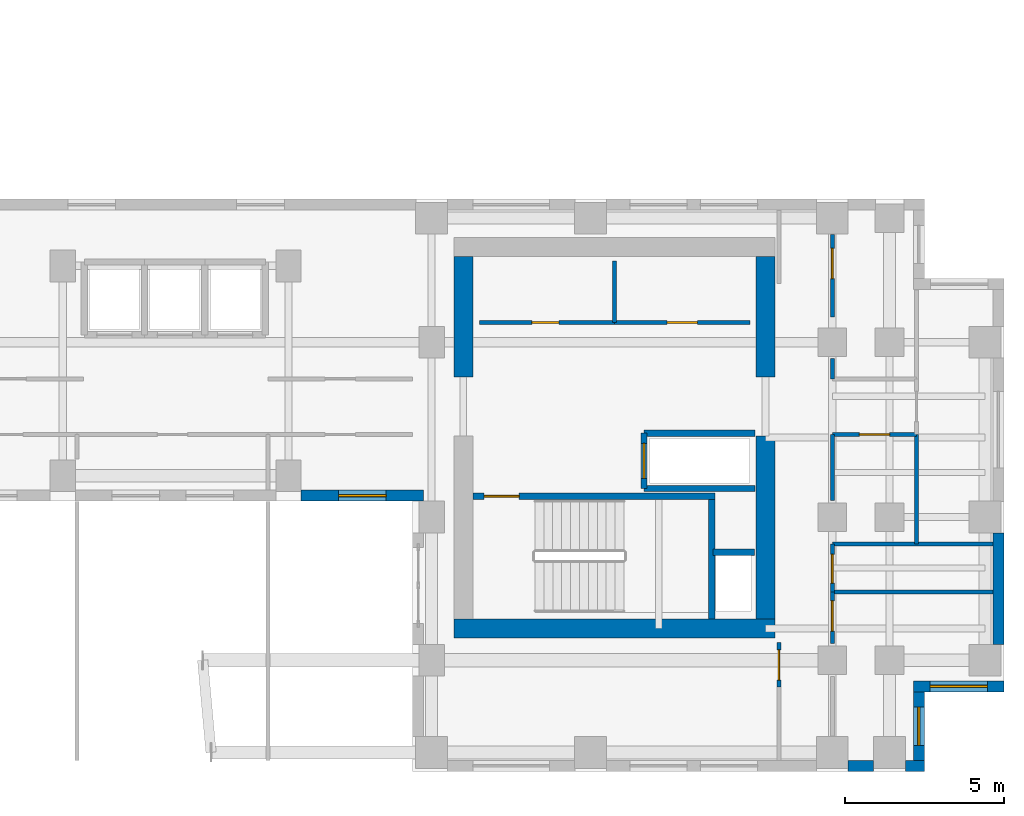
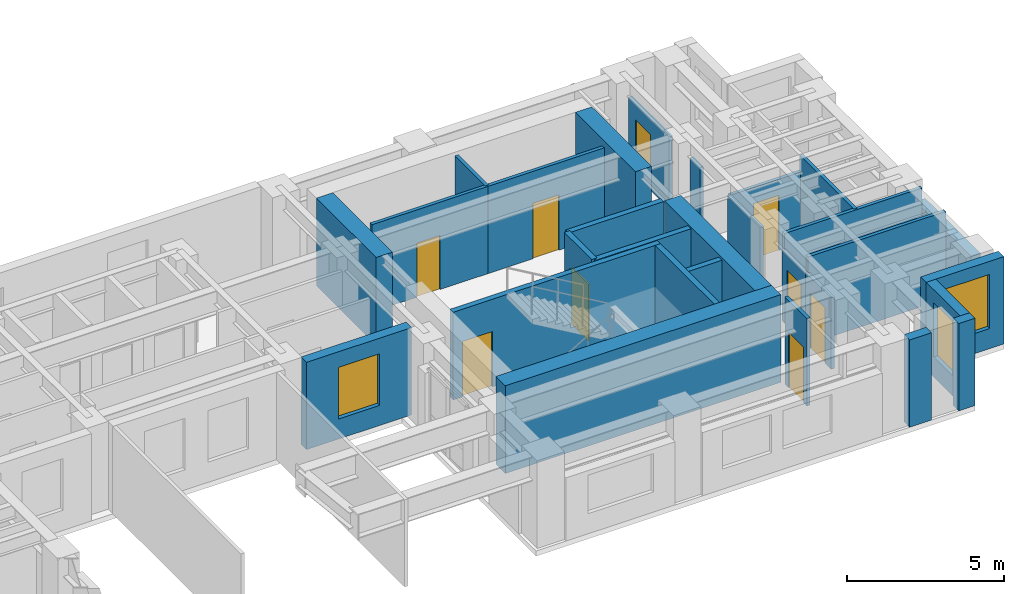
# One storey, part 9 of 13: 29 walls, 9 doors, 3 windows, 12 openings.
"""IFC4 building model written with IfcOpenShell, lengths in metres."""

from ifc_helpers import new_model, si_unit, direction, frame, frame_2d, origin, place, context, subcontext, project, spatial, rectangle, extrude, source, transform, mapped, material, layer, layer_set, type_object, element, fill, save


model = new_model("IFC4")

# Units and contexts
model_context = context("Model", 3, precision=1e-05, world=origin(), true_north=direction((0.0, 1.0)))
body_context = subcontext(model_context, "Body", "Model", "MODEL_VIEW")
ifc_project = project(units=[si_unit("LENGTHUNIT", "METRE"), si_unit("AREAUNIT", "SQUARE_METRE"), si_unit("VOLUMEUNIT", "CUBIC_METRE"), si_unit("PLANEANGLEUNIT", "RADIAN"), si_unit("MASSUNIT", "GRAM", prefix="KILO")], contexts=[model_context])

# Site, building, storey
site_placement = place(None, origin())
site = spatial("IfcSite", under=ifc_project, at=site_placement, CompositionType="ELEMENT")
building_placement = place(site_placement, origin())
building = spatial("IfcBuilding", under=site, at=building_placement, Name="Kharzan Plaza Tower", CompositionType="ELEMENT")
storey_placement = place(building_placement, frame((0.0, 0.0, 161.10009765625)))
storey = spatial("IfcBuildingStorey", under=building, at=storey_placement, Name="L43", CompositionType="ELEMENT", Elevation=161.10009765625)

# Wall, opening, window
ifc_material_1 = material(Name="Concrete C40/50", Category="concrete")
ifc_layer_1 = layer(ifc_material_1, 0.35009765625)
ifc_layer_set_1 = layer_set([ifc_layer_1], Name="Concrete C40/50")
wall_type_1 = type_object("IfcWallType", Name="WL-EXT-MAS-Z3", PredefinedType="SOLIDWALL", material=ifc_layer_set_1)
wall_1_placement = place(storey_placement, frame((30.89794921875, 8.675048828125, 0.0), z_axis=(0.0, 0.0, 1.0), x_axis=(1.0, 0.0, 0.0)))
wall_1 = element("IfcWall", 1, at=wall_1_placement, inside=storey, type_object=wall_type_1, Name="L43 Masonry-Frame Exterior Wall 28", PredefinedType="SOLIDWALL", context=body_context, shape_type="SweptSolid", body=[
    extrude(rectangle(XDim=3.85205078125, YDim=0.35009765625, at=frame_2d((1.926025390625, 0.0))), origin(), (0.0, 0.0, 1.0), 3.385009765625),
])
opening_1_placement = place(wall_1_placement, frame((1.176025390625, 0.0, 0.780029296875)))
opening_1 = element("IfcOpeningElement", 2, at=opening_1_placement, cuts=wall_1, Name="Opening W5", PredefinedType="OPENING", context=body_context, shape_type="SweptSolid", body=[
    extrude(rectangle(XDim=1.5, YDim=2.0, at=frame_2d((0.75, 1.0))), frame((0.0, 0.18505859375, 0.0), z_axis=(0.0, -1.0, 0.0), x_axis=(1.0, 0.0, 0.0)), (0.0, 0.0, 1.0), 0.3701171875),
])
ifc_material_2 = material(Name="Low-E Double Glazing", Category="glass")
window_type_1 = type_object("IfcWindowType", Name="WN-SLT-1500x2000", PartitioningType="SINGLE_PANEL", PredefinedType="WINDOW", material=ifc_material_2)
shared_shape_1 = source(origin(), body_context, "Body", "SweptSolid", [
    extrude(rectangle(XDim=1.5, YDim=2.0, at=frame_2d((0.75, 1.0))), frame((0.0, 0.030029296875, 0.0), z_axis=(0.0, -1.0, 0.0), x_axis=(1.0, 0.0, 0.0)), (0.0, 0.0, 1.0), 0.06005859375),
])
window_1_placement = place(opening_1_placement, origin())
window_1 = element("IfcWindow", 3, at=window_1_placement, inside=storey, type_object=window_type_1, Name="L43 Recessed Solar-Control Window 28-1", OverallHeight=2.0, OverallWidth=1.5, PartitioningType="SINGLE_PANEL", PredefinedType="WINDOW", context=body_context, shape_type="MappedRepresentation", body=[
    mapped(shared_shape_1, transform((0.0, 0.0, 0.0), x_axis=(1.0, 0.0, 0.0), y_axis=(0.0, 1.0, 0.0), z_axis=(0.0, 0.0, 1.0))),
])
fill(opening_1, window_1)

wall_2_placement = place(storey_placement, frame((50.324951171875, 0.347900390625, 0.0), z_axis=(0.0, 0.0, 1.0), x_axis=(0.0, 1.0, 0.0)))
wall_2 = element("IfcWall", 4, at=wall_2_placement, inside=storey, type_object=wall_type_1, Name="L43 Masonry-Frame Exterior Wall 36", PredefinedType="SOLIDWALL", context=body_context, shape_type="SweptSolid", body=[
    extrude(rectangle(XDim=2.154052734375, YDim=0.35009765625, at=frame_2d((1.0771484375, 0.0))), origin(), (0.0, 0.0, 1.0), 3.385009765625),
])
opening_2_placement = place(wall_2_placement, frame((0.47705078125, 0.0, 0.780029296875)))
opening_2 = element("IfcOpeningElement", 5, at=opening_2_placement, cuts=wall_2, Name="Opening W3", PredefinedType="OPENING", context=body_context, shape_type="SweptSolid", body=[
    extrude(rectangle(XDim=1.199951171875, YDim=2.10009765625, at=frame_2d((0.60009765625, 1.050048828125))), frame((0.0, 0.18505859375, 0.0), z_axis=(0.0, -1.0, 0.0), x_axis=(1.0, 0.0, 0.0)), (0.0, 0.0, 1.0), 0.3701171875),
])
window_type_2 = type_object("IfcWindowType", Name="WN-REC-1200x2100", PartitioningType="SINGLE_PANEL", PredefinedType="WINDOW", material=ifc_material_2)
shared_shape_2 = source(origin(), body_context, "Body", "SweptSolid", [
    extrude(rectangle(XDim=1.199951171875, YDim=2.10009765625, at=frame_2d((0.60009765625, 1.050048828125))), frame((0.0, 0.030029296875, 0.0), z_axis=(0.0, -1.0, 0.0), x_axis=(1.0, 0.0, 0.0)), (0.0, 0.0, 1.0), 0.06005859375),
])
window_2_placement = place(opening_2_placement, origin())
window_2 = element("IfcWindow", 6, at=window_2_placement, inside=storey, type_object=window_type_2, Name="L43 Recessed Solar-Control Window 36-1", OverallHeight=2.10009765625, OverallWidth=1.199951171875, PartitioningType="SINGLE_PANEL", PredefinedType="WINDOW", context=body_context, shape_type="MappedRepresentation", body=[
    mapped(shared_shape_2, transform((0.0, 0.0, 0.0), x_axis=(1.0, 0.0, 0.0), y_axis=(0.0, 1.0, 0.0), z_axis=(0.0, 0.0, 1.0))),
])
fill(opening_2, window_2)

wall_3_placement = place(storey_placement, frame((50.14990234375, 2.675048828125, 0.0), z_axis=(0.0, 0.0, 1.0), x_axis=(1.0, 0.0, 0.0)))
wall_3 = element("IfcWall", 7, at=wall_3_placement, inside=storey, type_object=wall_type_1, Name="L43 Masonry-Frame Exterior Wall 37", PredefinedType="SOLIDWALL", context=body_context, shape_type="SweptSolid", body=[
    extrude(rectangle(XDim=2.85009765625, YDim=0.35009765625, at=frame_2d((1.425048828125, 0.0))), origin(), (0.0, 0.0, 1.0), 3.385009765625),
])
opening_3_placement = place(wall_3_placement, frame((0.52490234375, 0.0, 0.780029296875)))
opening_3 = element("IfcOpeningElement", 8, at=opening_3_placement, cuts=wall_3, Name="Opening W1", PredefinedType="OPENING", context=body_context, shape_type="SweptSolid", body=[
    extrude(rectangle(XDim=1.800048828125, YDim=2.10009765625, at=frame_2d((0.89990234375, 1.050048828125))), frame((0.0, 0.18505859375, 0.0), z_axis=(0.0, -1.0, 0.0), x_axis=(1.0, 0.0, 0.0)), (0.0, 0.0, 1.0), 0.3701171875),
])
window_type_3 = type_object("IfcWindowType", Name="WN-REC-1800x2100", PartitioningType="SINGLE_PANEL", PredefinedType="WINDOW", material=ifc_material_2)
shared_shape_3 = source(origin(), body_context, "Body", "SweptSolid", [
    extrude(rectangle(XDim=1.800048828125, YDim=2.10009765625, at=frame_2d((0.89990234375, 1.050048828125))), frame((0.0, 0.030029296875, 0.0), z_axis=(0.0, -1.0, 0.0), x_axis=(1.0, 0.0, 0.0)), (0.0, 0.0, 1.0), 0.06005859375),
])
window_3_placement = place(opening_3_placement, origin())
window_3 = element("IfcWindow", 9, at=window_3_placement, inside=storey, type_object=window_type_3, Name="L43 Recessed Solar-Control Window 37-1", OverallHeight=2.10009765625, OverallWidth=1.800048828125, PartitioningType="SINGLE_PANEL", PredefinedType="WINDOW", context=body_context, shape_type="MappedRepresentation", body=[
    mapped(shared_shape_3, transform((0.0, 0.0, 0.0), x_axis=(1.0, 0.0, 0.0), y_axis=(0.0, 1.0, 0.0), z_axis=(0.0, 0.0, 1.0))),
])
fill(opening_3, window_3)

# Wall, opening, door
ifc_material_3 = material(Name="Fire-Rated Gypsum Board Partition", Category="gypsum")
ifc_layer_2 = layer(ifc_material_3, 0.125)
ifc_layer_set_2 = layer_set([ifc_layer_2], Name="Fire-Rated Gypsum Board Partition")
wall_type_2 = type_object("IfcWallType", Name="WL-INT-PART-125", PredefinedType="PARTITIONING", material=ifc_layer_set_2)
wall_4_placement = place(storey_placement, frame((36.5, 14.1201171875, 0.0), z_axis=(0.0, 0.0, 1.0), x_axis=(1.0, 0.0, 0.0)))
wall_4 = element("IfcWall", 10, at=wall_4_placement, inside=storey, type_object=wall_type_2, Name="L43 Interior Partition CB-RBLS1", PredefinedType="PARTITIONING", context=body_context, shape_type="SweptSolid", body=[
    extrude(rectangle(XDim=4.25, YDim=0.125, at=frame_2d((2.125, 0.0))), origin(), (0.0, 0.0, 1.0), 3.385009765625),
])
opening_4_placement = place(wall_4_placement, frame((1.64990234375, 0.0, 0.0)))
opening_4 = element("IfcOpeningElement", 11, at=opening_4_placement, cuts=wall_4, Name="Opening RD1", PredefinedType="OPENING", context=body_context, shape_type="SweptSolid", body=[
    extrude(rectangle(XDim=0.85009765625, YDim=2.10009765625, at=frame_2d((0.425048828125, 1.050048828125))), frame((0.0, 0.072509765625, 0.0), z_axis=(0.0, -1.0, 0.0), x_axis=(1.0, 0.0, 0.0)), (0.0, 0.0, 1.0), 0.14501953125),
])
ifc_material_4 = material(Name="Powder-Coated Fire-Rated Steel", Category="steel")
door_type_1 = type_object("IfcDoorType", Name="DR-RISER-900", OperationType="NOTDEFINED", PredefinedType="DOOR", material=ifc_material_4)
shared_shape_4 = source(origin(), body_context, "Body", "SweptSolid", [
    extrude(rectangle(XDim=0.85009765625, YDim=2.10009765625, at=frame_2d((0.425048828125, 1.050048828125))), frame((0.0, 0.02490234375, 0.0), z_axis=(0.0, -1.0, 0.0), x_axis=(1.0, 0.0, 0.0)), (0.0, 0.0, 1.0), 0.050048828125),
])
door_1_placement = place(opening_4_placement, origin())
door_1 = element("IfcDoor", 12, at=door_1_placement, inside=storey, type_object=door_type_1, Name="L43 Archive Room Door", OperationType="SINGLE_SWING_LEFT", OverallHeight=2.10009765625, OverallWidth=0.85009765625, PredefinedType="DOOR", context=body_context, shape_type="MappedRepresentation", body=[
    mapped(shared_shape_4, transform((0.0, 0.0, 0.0), x_axis=(1.0, 0.0, 0.0), y_axis=(0.0, 1.0, 0.0), z_axis=(0.0, 0.0, 1.0))),
])
fill(opening_4, door_1)

wall_5_placement = place(storey_placement, frame((40.75, 14.1201171875, 0.0), z_axis=(0.0, 0.0, 1.0), x_axis=(1.0, 0.0, 0.0)))
wall_5 = element("IfcWall", 13, at=wall_5_placement, inside=storey, type_object=wall_type_2, Name="L43 Interior Partition CB-RBLS2", PredefinedType="PARTITIONING", context=body_context, shape_type="SweptSolid", body=[
    extrude(rectangle(XDim=4.27001953125, YDim=0.125, at=frame_2d((2.135009765625, 0.0))), origin(), (0.0, 0.0, 1.0), 3.385009765625),
])
opening_5_placement = place(wall_5_placement, frame((1.659912109375, 0.0, 0.0)))
opening_5 = element("IfcOpeningElement", 14, at=opening_5_placement, cuts=wall_5, Name="Opening OD1", PredefinedType="OPENING", context=body_context, shape_type="SweptSolid", body=[
    extrude(rectangle(XDim=0.949951171875, YDim=2.14990234375, at=frame_2d((0.47509765625, 1.074951171875))), frame((0.0, 0.072509765625, 0.0), z_axis=(0.0, -1.0, 0.0), x_axis=(1.0, 0.0, 0.0)), (0.0, 0.0, 1.0), 0.14501953125),
])
ifc_material_5 = material(Name="Acoustic Solid-Core Stained Oak", Category="timber")
door_type_2 = type_object("IfcDoorType", Name="DR-OFF-SINGLE", OperationType="NOTDEFINED", PredefinedType="DOOR", material=ifc_material_5)
shared_shape_5 = source(origin(), body_context, "Body", "SweptSolid", [
    extrude(rectangle(XDim=0.949951171875, YDim=2.14990234375, at=frame_2d((0.47509765625, 1.074951171875))), frame((0.0, 0.02490234375, 0.0), z_axis=(0.0, -1.0, 0.0), x_axis=(1.0, 0.0, 0.0)), (0.0, 0.0, 1.0), 0.050048828125),
])
door_2_placement = place(opening_5_placement, origin())
door_2 = element("IfcDoor", 15, at=door_2_placement, inside=storey, type_object=door_type_2, Name="L43 Print Room Door", OperationType="SINGLE_SWING_RIGHT", OverallHeight=2.14990234375, OverallWidth=0.949951171875, PredefinedType="DOOR", context=body_context, shape_type="MappedRepresentation", body=[
    mapped(shared_shape_5, transform((0.0, 0.0, 0.0), x_axis=(1.0, 0.0, 0.0), y_axis=(0.0, 1.0, 0.0), z_axis=(0.0, 0.0, 1.0))),
])
fill(opening_5, door_2)

wall_6_placement = place(storey_placement, frame((47.60009765625, 10.60009765625, 0.0), z_axis=(0.0, 0.0, 1.0), x_axis=(1.0, 0.0, 0.0)))
wall_6 = element("IfcWall", 16, at=wall_6_placement, inside=storey, type_object=wall_type_2, Name="L43 Interior Partition SH-B2S1", PredefinedType="PARTITIONING", context=body_context, shape_type="SweptSolid", body=[
    extrude(rectangle(XDim=2.64990234375, YDim=0.125, at=frame_2d((1.324951171875, 0.0))), origin(), (0.0, 0.0, 1.0), 2.77294921875),
])
opening_6_placement = place(wall_6_placement, frame((0.85009765625, 0.0, 0.0)))
opening_6 = element("IfcOpeningElement", 17, at=opening_6_placement, cuts=wall_6, Name="Opening OD1", PredefinedType="OPENING", context=body_context, shape_type="SweptSolid", body=[
    extrude(rectangle(XDim=0.949951171875, YDim=2.14990234375, at=frame_2d((0.47509765625, 1.074951171875))), frame((0.0, 0.072509765625, 0.0), z_axis=(0.0, -1.0, 0.0), x_axis=(1.0, 0.0, 0.0)), (0.0, 0.0, 1.0), 0.14501953125),
])
door_3_placement = place(opening_6_placement, origin())
door_3 = element("IfcDoor", 18, at=door_3_placement, inside=storey, type_object=door_type_2, Name="L43 Spur South Office Door", OperationType="SINGLE_SWING_RIGHT", OverallHeight=2.14990234375, OverallWidth=0.949951171875, PredefinedType="DOOR", context=body_context, shape_type="MappedRepresentation", body=[
    mapped(shared_shape_5, transform((0.0, 0.0, 0.0), x_axis=(1.0, 0.0, 0.0), y_axis=(0.0, 1.0, 0.0), z_axis=(0.0, 0.0, 1.0))),
])
fill(opening_6, door_3)

wall_7_placement = place(storey_placement, frame((47.60009765625, 4.02001953125, 0.0), z_axis=(0.0, 0.0, 1.0), x_axis=(0.0, 1.0, 0.0)))
wall_7 = element("IfcWall", 19, at=wall_7_placement, inside=storey, type_object=wall_type_2, Name="L43 Interior Partition SH-B2W0", PredefinedType="PARTITIONING", context=body_context, shape_type="SweptSolid", body=[
    extrude(rectangle(XDim=1.6298828125, YDim=0.125, at=frame_2d((0.81494140625, 0.0))), origin(), (0.0, 0.0, 1.0), 2.77294921875),
])
opening_7_placement = place(wall_7_placement, frame((0.393310546875, 0.0, 0.0)))
opening_7 = element("IfcOpeningElement", 20, at=opening_7_placement, cuts=wall_7, Name="Opening OD1", PredefinedType="OPENING", context=body_context, shape_type="SweptSolid", body=[
    extrude(rectangle(XDim=0.949951171875, YDim=2.14990234375, at=frame_2d((0.47509765625, 1.074951171875))), frame((0.0, 0.072509765625, 0.0), z_axis=(0.0, -1.0, 0.0), x_axis=(1.0, 0.0, 0.0)), (0.0, 0.0, 1.0), 0.14501953125),
])
door_4_placement = place(opening_7_placement, origin())
door_4 = element("IfcDoor", 21, at=door_4_placement, inside=storey, type_object=door_type_2, Name="L43 Wing B South Office Door", OperationType="SINGLE_SWING_RIGHT", OverallHeight=2.14990234375, OverallWidth=0.949951171875, PredefinedType="DOOR", context=body_context, shape_type="MappedRepresentation", body=[
    mapped(shared_shape_5, transform((0.0, 0.0, 0.0), x_axis=(1.0, 0.0, 0.0), y_axis=(0.0, 1.0, 0.0), z_axis=(0.0, 0.0, 1.0))),
])
fill(opening_7, door_4)

wall_8_placement = place(storey_placement, frame((47.60009765625, 14.300048828125, 0.0), z_axis=(0.0, 0.0, 1.0), x_axis=(0.0, 1.0, 0.0)))
wall_8 = element("IfcWall", 22, at=wall_8_placement, inside=storey, type_object=wall_type_2, Name="L43 Interior Partition SH-B2W3D", PredefinedType="PARTITIONING", context=body_context, shape_type="SweptSolid", body=[
    extrude(rectangle(XDim=2.579833984375, YDim=0.125, at=frame_2d((1.2900390625, 0.0))), origin(), (0.0, 0.0, 1.0), 2.77294921875),
])
opening_8_placement = place(wall_8_placement, frame((1.199951171875, 0.0, 0.0)))
opening_8 = element("IfcOpeningElement", 23, at=opening_8_placement, cuts=wall_8, Name="Opening OD1", PredefinedType="OPENING", context=body_context, shape_type="SweptSolid", body=[
    extrude(rectangle(XDim=0.949951171875, YDim=2.14990234375, at=frame_2d((0.47509765625, 1.074951171875))), frame((0.0, 0.072509765625, 0.0), z_axis=(0.0, -1.0, 0.0), x_axis=(1.0, 0.0, 0.0)), (0.0, 0.0, 1.0), 0.14501953125),
])
door_5_placement = place(opening_8_placement, origin())
door_5 = element("IfcDoor", 24, at=door_5_placement, inside=storey, type_object=door_type_2, Name="L43 Spur North Office Door", OperationType="SINGLE_SWING_LEFT", OverallHeight=2.14990234375, OverallWidth=0.949951171875, PredefinedType="DOOR", context=body_context, shape_type="MappedRepresentation", body=[
    mapped(shared_shape_5, transform((0.0, 0.0, 0.0), x_axis=(1.0, 0.0, 0.0), y_axis=(0.0, 1.0, 0.0), z_axis=(0.0, 0.0, 1.0))),
])
fill(opening_8, door_5)

wall_9_placement = place(storey_placement, frame((47.60009765625, 5.64990234375, 0.0), z_axis=(0.0, 0.0, 1.0), x_axis=(0.0, 1.0, 0.0)))
wall_9 = element("IfcWall", 25, at=wall_9_placement, inside=storey, type_object=wall_type_2, Name="L43 Interior Partition SH-B2WC", PredefinedType="PARTITIONING", context=body_context, shape_type="SweptSolid", body=[
    extrude(rectangle(XDim=1.5, YDim=0.125, at=frame_2d((0.75, 0.0))), origin(), (0.0, 0.0, 1.0), 2.77294921875),
])
opening_9_placement = place(wall_9_placement, frame((0.27490234375, 0.0, 0.0)))
opening_9 = element("IfcOpeningElement", 26, at=opening_9_placement, cuts=wall_9, Name="Opening WD1", PredefinedType="OPENING", context=body_context, shape_type="SweptSolid", body=[
    extrude(rectangle(XDim=0.89990234375, YDim=2.14990234375, at=frame_2d((0.449951171875, 1.074951171875))), frame((0.0, 0.072509765625, 0.0), z_axis=(0.0, -1.0, 0.0), x_axis=(1.0, 0.0, 0.0)), (0.0, 0.0, 1.0), 0.14501953125),
])
ifc_material_6 = material(Name="Moisture-Resistant Fire-Rated Laminate", Category="timber")
door_type_3 = type_object("IfcDoorType", Name="DR-WC-900", OperationType="NOTDEFINED", PredefinedType="DOOR", material=ifc_material_6)
shared_shape_6 = source(origin(), body_context, "Body", "SweptSolid", [
    extrude(rectangle(XDim=0.89990234375, YDim=2.14990234375, at=frame_2d((0.449951171875, 1.074951171875))), frame((0.0, 0.02490234375, 0.0), z_axis=(0.0, -1.0, 0.0), x_axis=(1.0, 0.0, 0.0)), (0.0, 0.0, 1.0), 0.050048828125),
])
door_6_placement = place(opening_9_placement, origin())
door_6 = element("IfcDoor", 27, at=door_6_placement, inside=storey, type_object=door_type_3, Name="L43 Wing B Washroom Door", OperationType="SINGLE_SWING_LEFT", OverallHeight=2.14990234375, OverallWidth=0.89990234375, PredefinedType="DOOR", context=body_context, shape_type="MappedRepresentation", body=[
    mapped(shared_shape_6, transform((0.0, 0.0, 0.0), x_axis=(1.0, 0.0, 0.0), y_axis=(0.0, 1.0, 0.0), z_axis=(0.0, 0.0, 1.0))),
])
fill(opening_9, door_6)

wall_10_placement = place(storey_placement, frame((45.919921875, 2.64990234375, 0.0), z_axis=(0.0, 0.0, 1.0), x_axis=(0.0, 1.0, 0.0)))
wall_10 = element("IfcWall", 28, at=wall_10_placement, inside=storey, type_object=wall_type_2, Name="L43 Interior Partition SH-RBSE", PredefinedType="PARTITIONING", context=body_context, shape_type="SweptSolid", body=[
    extrude(rectangle(XDim=1.400146484375, YDim=0.125, at=frame_2d((0.7001953125, 0.0))), origin(), (0.0, 0.0, 1.0), 3.385009765625),
])
opening_10_placement = place(wall_10_placement, frame((0.22509765625, 0.0, 0.0)))
opening_10 = element("IfcOpeningElement", 29, at=opening_10_placement, cuts=wall_10, Name="Opening OD1", PredefinedType="OPENING", context=body_context, shape_type="SweptSolid", body=[
    extrude(rectangle(XDim=0.949951171875, YDim=2.14990234375, at=frame_2d((0.47509765625, 1.074951171875))), frame((0.0, 0.072509765625, 0.0), z_axis=(0.0, -1.0, 0.0), x_axis=(1.0, 0.0, 0.0)), (0.0, 0.0, 1.0), 0.14501953125),
])
door_7_placement = place(opening_10_placement, origin())
door_7 = element("IfcDoor", 30, at=door_7_placement, inside=storey, type_object=door_type_2, Name="L43 South-East Corner Office Door", OperationType="SINGLE_SWING_LEFT", OverallHeight=2.14990234375, OverallWidth=0.949951171875, PredefinedType="DOOR", context=body_context, shape_type="MappedRepresentation", body=[
    mapped(shared_shape_5, transform((0.0, 0.0, 0.0), x_axis=(1.0, 0.0, 0.0), y_axis=(0.0, 1.0, 0.0), z_axis=(0.0, 0.0, 1.0))),
])
fill(opening_10, door_7)

ifc_layer_3 = layer(ifc_material_1, 0.199951171875)
ifc_layer_set_3 = layer_set([ifc_layer_3], Name="Concrete C40/50")
wall_type_3 = type_object("IfcWallType", Name="WL-INT-SHAFT-200", PredefinedType="PARTITIONING", material=ifc_layer_set_3)
wall_11_placement = place(storey_placement, frame((41.679931640625, 8.89990234375, 0.0), z_axis=(0.0, 0.0, 1.0), x_axis=(0.0, 1.0, 0.0)))
wall_11 = element("IfcWall", 31, at=wall_11_placement, inside=storey, type_object=wall_type_3, Name="L43 Interior Partition SHF-SVL-2-W", PredefinedType="PARTITIONING", context=body_context, shape_type="SweptSolid", body=[
    extrude(rectangle(XDim=1.739990234375, YDim=0.199951171875, at=frame_2d((0.8701171875, 0.0))), origin(), (0.0, 0.0, 1.0), 3.385009765625),
])
opening_11_placement = place(wall_11_placement, frame((0.320068359375, 0.0, 0.0)))
opening_11 = element("IfcOpeningElement", 32, at=opening_11_placement, cuts=wall_11, Name="Opening LD", PredefinedType="OPENING", context=body_context, shape_type="SweptSolid", body=[
    extrude(rectangle(XDim=1.10009765625, YDim=2.199951171875, at=frame_2d((0.550048828125, 1.10009765625))), frame((0.0, 0.10986328125, 0.0), z_axis=(0.0, -1.0, 0.0), x_axis=(1.0, 0.0, 0.0)), (0.0, 0.0, 1.0), 0.219970703125),
])
ifc_material_7 = material(Name="Brushed Stainless Steel", Category="steel")
door_type_4 = type_object("IfcDoorType", Name="DR-LIFT-SLIDE", OperationType="SLIDING_TO_LEFT", PredefinedType="DOOR", material=ifc_material_7)
shared_shape_7 = source(origin(), body_context, "Body", "SweptSolid", [
    extrude(rectangle(XDim=1.10009765625, YDim=2.199951171875, at=frame_2d((0.550048828125, 1.10009765625))), frame((0.0, 0.02490234375, 0.0), z_axis=(0.0, -1.0, 0.0), x_axis=(1.0, 0.0, 0.0)), (0.0, 0.0, 1.0), 0.050048828125),
])
door_8_placement = place(opening_11_placement, origin())
door_8 = element("IfcDoor", 33, at=door_8_placement, inside=storey, type_object=door_type_4, Name="L43 Service Lift SVL-2 Sliding Landing Door", OperationType="SLIDING_TO_LEFT", OverallHeight=2.199951171875, OverallWidth=1.10009765625, PredefinedType="DOOR", context=body_context, shape_type="MappedRepresentation", body=[
    mapped(shared_shape_7, transform((0.0, 0.0, 0.0), x_axis=(1.0, 0.0, 0.0), y_axis=(0.0, 1.0, 0.0), z_axis=(0.0, 0.0, 1.0))),
])
fill(opening_11, door_8)

ifc_material_8 = material(Name="Concrete C50/60", Category="concrete")
ifc_layer_4 = layer(ifc_material_8, 0.199951171875)
ifc_layer_set_4 = layer_set([ifc_layer_4], Name="Concrete C50/60")
wall_type_4 = type_object("IfcWallType", Name="WL-SHAFT-RC200", PredefinedType="SHEAR", material=ifc_layer_set_4)
wall_12_placement = place(storey_placement, frame((36.302001953125, 8.655029296875, 0.0), z_axis=(0.0, 0.0, 1.0), x_axis=(1.0, 0.0, 0.0)))
wall_12 = element("IfcWall", 34, at=wall_12_placement, inside=storey, type_object=wall_type_4, Name="L43 Stair ST-3 North RC Shaft Wall", PredefinedType="SHEAR", context=body_context, shape_type="SweptSolid", body=[
    extrude(rectangle(XDim=7.60302734375, YDim=0.199951171875, at=frame_2d((3.801513671875, 0.0))), origin(), (0.0, 0.0, 1.0), 3.39990234375),
])
opening_12_placement = place(wall_12_placement, frame((0.35009765625, 0.0, 0.0)))
opening_12 = element("IfcOpeningElement", 35, at=opening_12_placement, cuts=wall_12, Name="Opening SD1", PredefinedType="OPENING", context=body_context, shape_type="SweptSolid", body=[
    extrude(rectangle(XDim=1.10009765625, YDim=2.14990234375, at=frame_2d((0.550048828125, 1.074951171875))), frame((0.0, 0.10986328125, 0.0), z_axis=(0.0, -1.0, 0.0), x_axis=(1.0, 0.0, 0.0)), (0.0, 0.0, 1.0), 0.219970703125),
])
ifc_material_9 = material(Name="Fire-Rated Hollow Galvanized Steel", Category="steel")
door_type_5 = type_object("IfcDoorType", Name="DR-STAIR-FD120", OperationType="NOTDEFINED", PredefinedType="DOOR", material=ifc_material_9)
shared_shape_8 = source(origin(), body_context, "Body", "SweptSolid", [
    extrude(rectangle(XDim=1.10009765625, YDim=2.14990234375, at=frame_2d((0.550048828125, 1.074951171875))), frame((0.0, 0.02490234375, 0.0), z_axis=(0.0, -1.0, 0.0), x_axis=(1.0, 0.0, 0.0)), (0.0, 0.0, 1.0), 0.050048828125),
])
door_9_placement = place(opening_12_placement, origin())
door_9 = element("IfcDoor", 36, at=door_9_placement, inside=storey, type_object=door_type_5, Name="L43 Stair ST-3 Fire Exit Door", OperationType="SINGLE_SWING_RIGHT", OverallHeight=2.14990234375, OverallWidth=1.10009765625, PredefinedType="DOOR", context=body_context, shape_type="MappedRepresentation", body=[
    mapped(shared_shape_8, transform((0.0, 0.0, 0.0), x_axis=(1.0, 0.0, 0.0), y_axis=(0.0, 1.0, 0.0), z_axis=(0.0, 0.0, 1.0))),
])
fill(opening_12, door_9)

# Walls
ifc_layer_5 = layer(ifc_material_8, 0.60009765625)
ifc_layer_set_5 = layer_set([ifc_layer_5], Name="Concrete C50/60")
wall_type_5 = type_object("IfcWallType", Name="WL-CORE-600", PredefinedType="SHEAR", material=ifc_layer_set_5)
shared_shape_9 = source(origin(), body_context, "Body", "SweptSolid", [
    extrude(rectangle(XDim=5.75, YDim=0.60009765625, at=frame_2d((2.875, 0.0))), origin(), (0.0, 0.0, 1.0), 3.39990234375),
])
wall_13_placement = place(storey_placement, frame((45.5, 4.800048828125, 0.0), z_axis=(0.0, 0.0, 1.0), x_axis=(0.0, 1.0, 0.0)))
element("IfcWall", 37, at=wall_13_placement, inside=storey, type_object=wall_type_5, Name="L43 CORE-B east shear pier 1", PredefinedType="SHEAR", context=body_context, shape_type="MappedRepresentation", body=[
    mapped(shared_shape_9, transform((0.0, 0.0, 0.0), x_axis=(1.0, 0.0, 0.0), y_axis=(0.0, 1.0, 0.0), z_axis=(0.0, 0.0, 1.0))),
])
shared_shape_10 = source(origin(), body_context, "Body", "SweptSolid", [
    extrude(rectangle(XDim=3.800048828125, YDim=0.60009765625, at=frame_2d((1.89990234375, 0.0))), origin(), (0.0, 0.0, 1.0), 3.39990234375),
])
for number, where, z_axis, x_axis, name in (
    (38, (45.5, 12.39990234375, 0.0), (0.0, 0.0, 1.0), (0.0, 1.0, 0.0), "L43 CORE-B east shear pier 2"),
    (39, (36.0, 12.39990234375, 0.0), (0.0, 0.0, 1.0), (0.0, 1.0, 0.0), "L43 CORE-B west shear pier 2"),
):
    element("IfcWall", number, at=place(storey_placement, frame(where, z_axis=z_axis, x_axis=x_axis)), inside=storey, type_object=wall_type_5, Name=name, PredefinedType="SHEAR", context=body_context, shape_type="MappedRepresentation", body=[
        mapped(shared_shape_10, transform((0.0, 0.0, 0.0), x_axis=(1.0, 0.0, 0.0), y_axis=(0.0, 1.0, 0.0), z_axis=(0.0, 0.0, 1.0))),
    ])
shared_shape_11 = source(origin(), body_context, "Body", "SweptSolid", [
    extrude(rectangle(XDim=10.10009765625, YDim=0.60009765625, at=frame_2d((5.050048828125, 0.0))), origin(), (0.0, 0.0, 1.0), 3.39990234375),
])
wall_14_placement = place(storey_placement, frame((35.699951171875, 4.5, 0.0), z_axis=(0.0, 0.0, 1.0), x_axis=(1.0, 0.0, 0.0)))
element("IfcWall", 40, at=wall_14_placement, inside=storey, type_object=wall_type_5, Name="L43 CORE-B south RC shear wall", PredefinedType="SHEAR", context=body_context, shape_type="MappedRepresentation", body=[
    mapped(shared_shape_11, transform((0.0, 0.0, 0.0), x_axis=(1.0, 0.0, 0.0), y_axis=(0.0, 1.0, 0.0), z_axis=(0.0, 0.0, 1.0))),
])
shared_shape_12 = source(origin(), body_context, "Body", "SweptSolid", [
    extrude(rectangle(XDim=0.80419921875, YDim=0.35009765625, at=frame_2d((0.402099609375, 0.0))), origin(), (0.0, 0.0, 1.0), 3.385009765625),
])
wall_15_placement = place(storey_placement, frame((48.097900390625, 0.175048828125, 0.0), z_axis=(0.0, 0.0, 1.0), x_axis=(1.0, 0.0, 0.0)))
element("IfcWall", 41, at=wall_15_placement, inside=storey, type_object=wall_type_1, Name="L43 Masonry-Frame Exterior Wall 34", PredefinedType="SOLIDWALL", context=body_context, shape_type="MappedRepresentation", body=[
    mapped(shared_shape_12, transform((0.0, 0.0, 0.0), x_axis=(1.0, 0.0, 0.0), y_axis=(0.0, 1.0, 0.0), z_axis=(0.0, 0.0, 1.0))),
])
shared_shape_13 = source(origin(), body_context, "Body", "SweptSolid", [
    extrude(rectangle(XDim=0.60205078125, YDim=0.35009765625, at=frame_2d((0.301025390625, 0.0))), origin(), (0.0, 0.0, 1.0), 3.385009765625),
])
wall_16_placement = place(storey_placement, frame((49.89794921875, 0.175048828125, 0.0), z_axis=(0.0, 0.0, 1.0), x_axis=(1.0, 0.0, 0.0)))
element("IfcWall", 42, at=wall_16_placement, inside=storey, type_object=wall_type_1, Name="L43 Masonry-Frame Exterior Wall 35", PredefinedType="SOLIDWALL", context=body_context, shape_type="MappedRepresentation", body=[
    mapped(shared_shape_13, transform((0.0, 0.0, 0.0), x_axis=(1.0, 0.0, 0.0), y_axis=(0.0, 1.0, 0.0), z_axis=(0.0, 0.0, 1.0))),
])
shared_shape_14 = source(origin(), body_context, "Body", "SweptSolid", [
    extrude(rectangle(XDim=3.50390625, YDim=0.35009765625, at=frame_2d((1.751953125, 0.0))), origin(), (0.0, 0.0, 1.0), 2.61181640625),
])
wall_17_placement = place(storey_placement, frame((52.824951171875, 3.998046875, 0.0), z_axis=(0.0, 0.0, 1.0), x_axis=(0.0, 1.0, 0.0)))
element("IfcWall", 43, at=wall_17_placement, inside=storey, type_object=wall_type_1, Name="L43 Masonry-Frame Exterior Wall 38", PredefinedType="SOLIDWALL", context=body_context, shape_type="MappedRepresentation", body=[
    mapped(shared_shape_14, transform((0.0, 0.0, 0.0), x_axis=(1.0, 0.0, 0.0), y_axis=(0.0, 1.0, 0.0), z_axis=(0.0, 0.0, 1.0))),
])
shared_shape_15 = source(origin(), body_context, "Body", "SweptSolid", [
    extrude(rectangle(XDim=1.929931640625, YDim=0.125, at=frame_2d((0.96484375, 0.0))), origin(), (0.0, 0.0, 1.0), 3.385009765625),
])
wall_18_placement = place(storey_placement, frame((40.75, 14.1201171875, 0.0), z_axis=(0.0, 0.0, 1.0), x_axis=(0.0, 1.0, 0.0)))
element("IfcWall", 44, at=wall_18_placement, inside=storey, type_object=wall_type_2, Name="L43 Interior Partition CB-RBLM1", PredefinedType="PARTITIONING", context=body_context, shape_type="MappedRepresentation", body=[
    mapped(shared_shape_15, transform((0.0, 0.0, 0.0), x_axis=(1.0, 0.0, 0.0), y_axis=(0.0, 1.0, 0.0), z_axis=(0.0, 0.0, 1.0))),
])
shared_shape_16 = source(origin(), body_context, "Body", "SweptSolid", [
    extrude(rectangle(XDim=0.6298828125, YDim=0.125, at=frame_2d((0.31494140625, 0.0))), origin(), (0.0, 0.0, 1.0), 2.77294921875),
])
wall_19_placement = place(storey_placement, frame((47.60009765625, 12.35009765625, 0.0), z_axis=(0.0, 0.0, 1.0), x_axis=(0.0, 1.0, 0.0)))
element("IfcWall", 45, at=wall_19_placement, inside=storey, type_object=wall_type_2, Name="L43 Interior Partition SH-B2W3S", PredefinedType="PARTITIONING", context=body_context, shape_type="MappedRepresentation", body=[
    mapped(shared_shape_16, transform((0.0, 0.0, 0.0), x_axis=(1.0, 0.0, 0.0), y_axis=(0.0, 1.0, 0.0), z_axis=(0.0, 0.0, 1.0))),
])
shared_shape_17 = source(origin(), body_context, "Body", "SweptSolid", [
    extrude(rectangle(XDim=5.0478515625, YDim=0.125, at=frame_2d((2.52392578125, 0.0))), origin(), (0.0, 0.0, 1.0), 3.385009765625),
])
for number, where, z_axis, x_axis, name in (
    (46, (47.60009765625, 5.64990234375, 0.0), (0.0, 0.0, 1.0), (1.0, 0.0, 0.0), "L43 Interior Partition SH-B2H1"),
    (47, (47.60009765625, 7.14990234375, 0.0), (0.0, 0.0, 1.0), (1.0, 0.0, 0.0), "L43 Interior Partition SH-B2H2"),
):
    element("IfcWall", number, at=place(storey_placement, frame(where, z_axis=z_axis, x_axis=x_axis)), inside=storey, type_object=wall_type_2, Name=name, PredefinedType="PARTITIONING", context=body_context, shape_type="MappedRepresentation", body=[
        mapped(shared_shape_17, transform((0.0, 0.0, 0.0), x_axis=(1.0, 0.0, 0.0), y_axis=(0.0, 1.0, 0.0), z_axis=(0.0, 0.0, 1.0))),
    ])
shared_shape_18 = source(origin(), body_context, "Body", "SweptSolid", [
    extrude(rectangle(XDim=1.2998046875, YDim=0.199951171875, at=frame_2d((0.64990234375, 0.0))), origin(), (0.0, 0.0, 1.0), 3.385009765625),
])
wall_20_placement = place(storey_placement, frame((43.85009765625, 6.89990234375, 0.0), z_axis=(0.0, 0.0, 1.0), x_axis=(1.0, 0.0, 0.0)))
element("IfcWall", 48, at=wall_20_placement, inside=storey, type_object=wall_type_3, Name="L43 Interior Partition CB-RSRB-N", PredefinedType="PARTITIONING", context=body_context, shape_type="MappedRepresentation", body=[
    mapped(shared_shape_18, transform((0.0, 0.0, 0.0), x_axis=(1.0, 0.0, 0.0), y_axis=(0.0, 1.0, 0.0), z_axis=(0.0, 0.0, 1.0))),
])
shared_shape_19 = source(origin(), body_context, "Body", "SweptSolid", [
    extrude(rectangle(XDim=3.489990234375, YDim=0.199951171875, at=frame_2d((1.7451171875, 0.0))), origin(), (0.0, 0.0, 1.0), 3.385009765625),
])
for number, where, z_axis, x_axis, name in (
    (49, (41.679931640625, 10.639892578125, 0.0), (0.0, 0.0, 1.0), (1.0, 0.0, 0.0), "L43 Interior Partition SHF-SVL-2-N"),
    (50, (41.679931640625, 8.89990234375, 0.0), (0.0, 0.0, 1.0), (1.0, 0.0, 0.0), "L43 Interior Partition SHF-SVL-2-S"),
):
    element("IfcWall", number, at=place(storey_placement, frame(where, z_axis=z_axis, x_axis=x_axis)), inside=storey, type_object=wall_type_3, Name=name, PredefinedType="PARTITIONING", context=body_context, shape_type="MappedRepresentation", body=[
        mapped(shared_shape_19, transform((0.0, 0.0, 0.0), x_axis=(1.0, 0.0, 0.0), y_axis=(0.0, 1.0, 0.0), z_axis=(0.0, 0.0, 1.0))),
    ])
shared_shape_20 = source(origin(), body_context, "Body", "SweptSolid", [
    extrude(rectangle(XDim=3.7529296875, YDim=0.199951171875, at=frame_2d((1.87646484375, 0.0))), origin(), (0.0, 0.0, 1.0), 3.39990234375),
])
wall_21_placement = place(storey_placement, frame((43.804931640625, 4.802001953125, 0.0), z_axis=(0.0, 0.0, 1.0), x_axis=(0.0, 1.0, 0.0)))
element("IfcWall", 51, at=wall_21_placement, inside=storey, type_object=wall_type_4, Name="L43 Stair ST-3 East RC Shaft Wall", PredefinedType="SHEAR", context=body_context, shape_type="MappedRepresentation", body=[
    mapped(shared_shape_20, transform((0.0, 0.0, 0.0), x_axis=(1.0, 0.0, 0.0), y_axis=(0.0, 1.0, 0.0), z_axis=(0.0, 0.0, 1.0))),
])
shared_shape_21 = source(origin(), body_context, "Body", "SweptSolid", [
    extrude(rectangle(XDim=3.4501953125, YDim=0.125, at=frame_2d((1.72509765625, 0.0))), origin(), (0.0, 0.0, 1.0), 3.385009765625),
])
wall_22_placement = place(storey_placement, frame((50.25, 7.14990234375, 0.0), z_axis=(0.0, 0.0, 1.0), x_axis=(0.0, 1.0, 0.0)))
element("IfcWall", 52, at=wall_22_placement, inside=storey, type_object=wall_type_2, Name="L43 Interior Partition SH-B2V1", PredefinedType="PARTITIONING", context=body_context, shape_type="MappedRepresentation", body=[
    mapped(shared_shape_21, transform((0.0, 0.0, 0.0), x_axis=(1.0, 0.0, 0.0), y_axis=(0.0, 1.0, 0.0), z_axis=(0.0, 0.0, 1.0))),
])
shared_shape_22 = source(origin(), body_context, "Body", "SweptSolid", [
    extrude(rectangle(XDim=2.080078125, YDim=0.125, at=frame_2d((1.0400390625, 0.0))), origin(), (0.0, 0.0, 1.0), 2.77294921875),
])
wall_23_placement = place(storey_placement, frame((47.60009765625, 8.52001953125, 0.0), z_axis=(0.0, 0.0, 1.0), x_axis=(0.0, 1.0, 0.0)))
element("IfcWall", 53, at=wall_23_placement, inside=storey, type_object=wall_type_2, Name="L43 Interior Partition SH-B2W1C", PredefinedType="PARTITIONING", context=body_context, shape_type="MappedRepresentation", body=[
    mapped(shared_shape_22, transform((0.0, 0.0, 0.0), x_axis=(1.0, 0.0, 0.0), y_axis=(0.0, 1.0, 0.0), z_axis=(0.0, 0.0, 1.0))),
])

save(model, "model.ifc")
